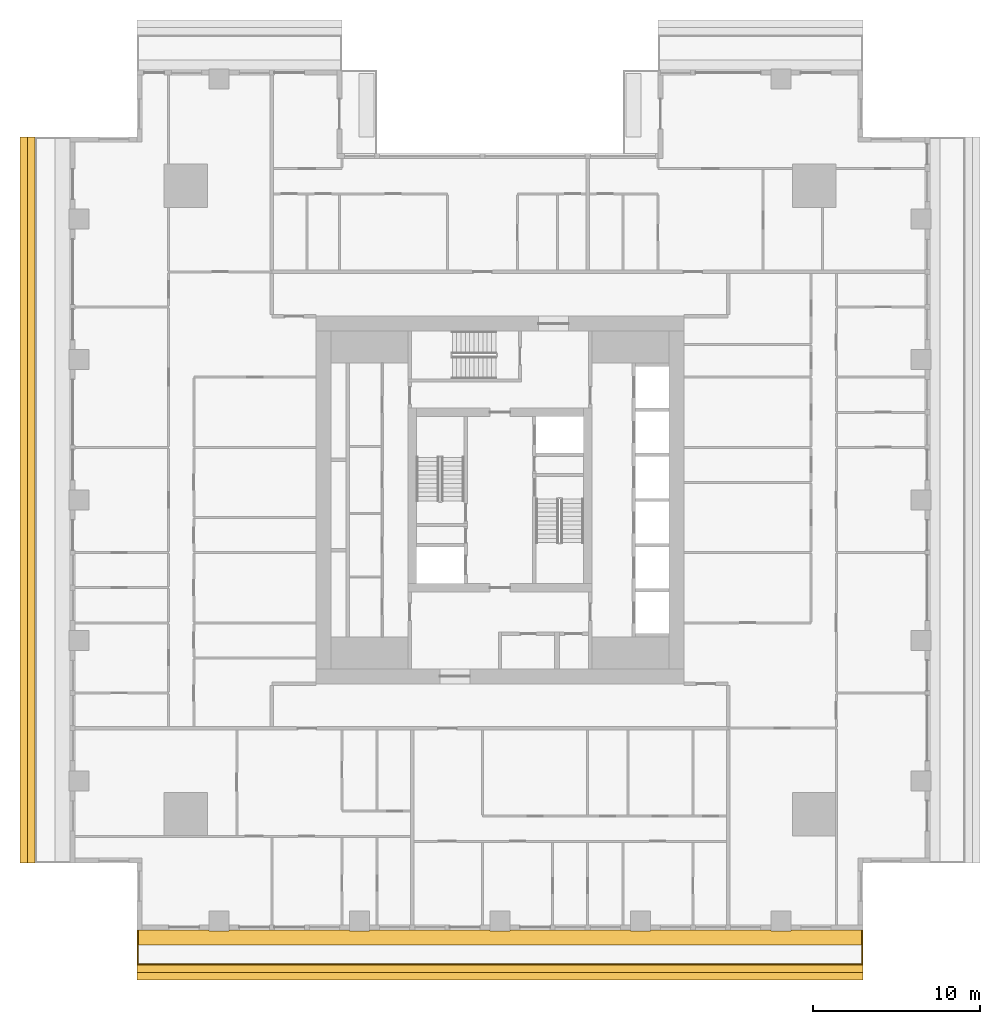
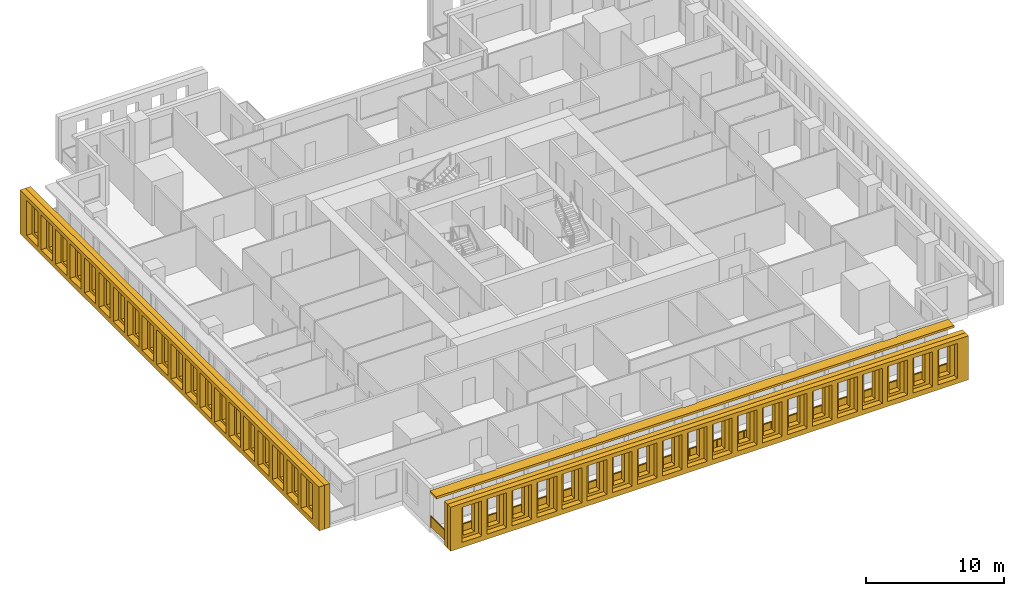
# One storey, part 11 of 16: 5 shading devices, 1 railing.
"""IFC4 building model written with IfcOpenShell, lengths in metres."""

import ifcopenshell
import ifcopenshell.guid

model = None  # the IFC model being written
_history = None  # IfcOwnerHistory: only IFC2X3 demands one
_inside = {}  # id of a spatial element -> (the spatial element, [elements in it])
_under = {}  # id of a project, library or spatial element -> (it, [spatial elements below it])
_declared = {}  # id of a project -> (the project, [libraries it declares])
_typed = {}  # id of a type object -> (the type object, [elements of that type])
_made_of = {}  # id of a material, layer set ... -> (it, [elements and type objects made of it])


def new_model(schema):
    """Start an empty IFC model of exactly this schema.

    Asked for "IFC4X3", IfcOpenShell would pick the latest addendum, in which some entities
    have other attributes; the version numbers below select the first issue.
    IFC2X3 requires an IfcOwnerHistory on every rooted entity: one is made here for all.
    """
    global model, _history
    if schema == "IFC4X3":
        model = ifcopenshell.file(schema_version=(4, 3, 0, 0))
    else:
        model = ifcopenshell.file(schema=schema)
    _inside.clear()
    _under.clear()
    _declared.clear()
    _typed.clear()
    _made_of.clear()
    _history = None
    if model.schema == "IFC2X3":
        org = make("IfcOrganization", Name="unknown")
        user = make(
            "IfcPersonAndOrganization",
            ThePerson=make("IfcPerson", FamilyName="unknown"),
            TheOrganization=org,
        )
        app = make(
            "IfcApplication",
            ApplicationDeveloper=org,
            Version="unknown",
            ApplicationFullName="unknown",
            ApplicationIdentifier="unknown",
        )
        _history = make(
            "IfcOwnerHistory",
            OwningUser=user,
            OwningApplication=app,
            ChangeAction="ADDED",
            CreationDate=0,
        )
    return model


def make(cls, **values):
    """One entity of the class cls with the attributes given. An attribute that is None is left unset."""
    return model.create_entity(
        cls, **{name: value for name, value in values.items() if value is not None}
    )


def rooted(cls, **values):
    """An entity with a GlobalId (a new one), such as an element, a storey or a relation."""
    return make(cls, GlobalId=ifcopenshell.guid.new(), OwnerHistory=_history, **values)


def si_unit(unit_type, name, prefix=None):
    """IfcSIUnit, for example si_unit("LENGTHUNIT", "METRE", prefix="MILLI")."""
    return make("IfcSIUnit", UnitType=unit_type, Prefix=prefix, Name=name)


def assignment(units):
    """IfcUnitAssignment: the units of a project."""
    return None if units is None else make("IfcUnitAssignment", Units=units)


def point(xyz):
    """IfcCartesianPoint."""
    return None if xyz is None else make("IfcCartesianPoint", Coordinates=xyz)


def direction(xyz):
    """IfcDirection."""
    return None if xyz is None else make("IfcDirection", DirectionRatios=xyz)


def frame(location, z_axis=None, x_axis=None):
    """IfcAxis2Placement3D, a coordinate frame: its origin and axes. An axis left out is left unset."""
    return make(
        "IfcAxis2Placement3D",
        Location=point(location),
        Axis=direction(z_axis),
        RefDirection=direction(x_axis),
    )


def frame_2d(location, x_axis=None):
    """IfcAxis2Placement2D, a coordinate frame in the plane: its origin and x axis."""
    return make(
        "IfcAxis2Placement2D", Location=point(location), RefDirection=direction(x_axis)
    )


def origin():
    """The frame at (0, 0, 0) with its axes left unset."""
    return frame((0.0, 0.0, 0.0))


def origin_2d():
    """The frame at (0, 0) in the plane with its x axis left unset."""
    return frame_2d((0.0, 0.0))


def place(relative_to, where):
    """IfcLocalPlacement: puts the frame where relative to a parent placement (None: the world)."""
    return make(
        "IfcLocalPlacement", PlacementRelTo=relative_to, RelativePlacement=where
    )


def context(
    kind, dimensions, precision=None, world=None, true_north=None, identifier=None
):
    """IfcGeometricRepresentationContext, for example the 3D "Model" context."""
    return make(
        "IfcGeometricRepresentationContext",
        ContextIdentifier=identifier,
        ContextType=kind,
        CoordinateSpaceDimension=dimensions,
        Precision=precision,
        WorldCoordinateSystem=world,
        TrueNorth=true_north,
    )


def subcontext(parent, identifier, kind, view, scale=None):
    """IfcGeometricRepresentationSubContext, for example "Body" below "Model"."""
    return make(
        "IfcGeometricRepresentationSubContext",
        ContextIdentifier=identifier,
        ContextType=kind,
        ParentContext=parent,
        TargetScale=scale,
        TargetView=view,
    )


def project(units=None, contexts=None):
    """IfcProject with its units and contexts."""
    return rooted(
        "IfcProject",
        Name="project",
        RepresentationContexts=contexts,
        UnitsInContext=assignment(units),
    )


def spatial(cls, under=None, at=None, **own):
    """A site, building, storey or space (cls), placed at a placement, below another one or the project."""
    s = rooted(cls, ObjectPlacement=at, **own)
    if under is not None:
        _under.setdefault(under.id(), (under, []))[1].append(s)
    return s


def polyline(points):
    """IfcPolyline through the points."""
    return make("IfcPolyline", Points=[point(p) for p in points])


def profile(cls, at=None, kind="AREA", **sizes):
    """A parametric profile (cls). Its sizes go by their IFC names, for example OverallWidth=200.0."""
    return make(cls, ProfileType=kind, Position=at, **sizes)


def rectangle(**sizes):
    """IfcRectangleProfileDef."""
    return profile("IfcRectangleProfileDef", **sizes)


def outline(outer, holes=None, kind="AREA"):
    """IfcArbitraryClosedProfileDef: a profile drawn as a closed curve; with holes, ...WithVoids."""
    if holes is None:
        return make("IfcArbitraryClosedProfileDef", ProfileType=kind, OuterCurve=outer)
    return make(
        "IfcArbitraryProfileDefWithVoids",
        ProfileType=kind,
        OuterCurve=outer,
        InnerCurves=holes,
    )


def extrude(swept, where, along, depth):
    """IfcExtrudedAreaSolid: the profile swept, set in the frame where, extruded along a direction by depth."""
    return make(
        "IfcExtrudedAreaSolid",
        SweptArea=swept,
        Position=where,
        ExtrudedDirection=direction(along),
        Depth=depth,
    )


def shape(context_of_items, identifier, shape_type, items):
    """IfcShapeRepresentation: the items that make up one representation, for example the "Body"."""
    return make(
        "IfcShapeRepresentation",
        ContextOfItems=context_of_items,
        RepresentationIdentifier=identifier,
        RepresentationType=shape_type,
        Items=items,
    )


def material(Name=None, Category=None):
    """IfcMaterial."""
    return make("IfcMaterial", Name=Name, Category=Category)


def layer(
    of_material, thickness, ventilated=None, Name=None, Category=None, Priority=None
):
    """IfcMaterialLayer: one layer of a wall or slab, of a material (None: an air gap)."""
    return make(
        "IfcMaterialLayer",
        Material=of_material,
        LayerThickness=thickness,
        IsVentilated=ventilated,
        Name=Name,
        Category=Category,
        Priority=Priority,
    )


def layer_set(layers, Name=None):
    """IfcMaterialLayerSet."""
    return make("IfcMaterialLayerSet", MaterialLayers=layers, LayerSetName=Name)


def made_of(thing, what):
    """Note that an element or type object is made of a material, layer set ...; save() writes the relation."""
    if what is not None:
        _made_of.setdefault(what.id(), (what, []))[1].append(thing)
    return thing


def type_object(cls, material=None, **own):
    """A type object (cls), such as IfcWallType, which elements share."""
    return made_of(rooted(cls, **own), material)


def element(
    cls,
    number,
    at=None,
    inside=None,
    cuts=None,
    type_object=None,
    material=None,
    context=None,
    identifier="Body",
    shape_type=None,
    held_by="IfcProductDefinitionShape",
    body=None,
    shapes=None,
    **own,
):
    """One element of the class cls, such as IfcWall. Its Tag is "e" and its number.

    at: its placement. inside: the storey or other place that contains it. cuts: it is an
    opening in that element (IfcRelVoidsElement). A single representation is given by context,
    identifier, shape_type and body (its items); several are given by shapes. held_by: the class
    of the entity that holds the representations. save() writes the other relations.
    """
    e = rooted(cls, Tag="e%d" % number, ObjectPlacement=at, **own)
    if body is not None:
        shapes = [shape(context, identifier, shape_type, body)]
    if shapes is not None:
        e.Representation = make(held_by, Representations=shapes)
    if inside is not None:
        _inside.setdefault(inside.id(), (inside, []))[1].append(e)
    if cuts is not None:
        rooted(
            "IfcRelVoidsElement", RelatingBuildingElement=cuts, RelatedOpeningElement=e
        )
    if type_object is not None:
        _typed.setdefault(type_object.id(), (type_object, []))[1].append(e)
    return made_of(e, material)


def aggregate(whole, parts):
    """IfcRelAggregates: a whole, such as a stair, and the parts it consists of."""
    return rooted("IfcRelAggregates", RelatingObject=whole, RelatedObjects=parts)


def save(model, path):
    """Write the relations noted so far, then the file.

    IfcRelAggregates (storeys below a building ...), IfcRelContainedInSpatialStructure (elements
    in a storey), IfcRelDefinesByType, IfcRelAssociatesMaterial and IfcRelDeclares: one each for
    every whole, place, type object, material and project.
    """
    for whole, parts in _under.values():
        aggregate(whole, parts)
    for where, things in _inside.values():
        rooted(
            "IfcRelContainedInSpatialStructure",
            RelatedElements=things,
            RelatingStructure=where,
        )
    for kind, things in _typed.values():
        rooted("IfcRelDefinesByType", RelatedObjects=things, RelatingType=kind)
    for what, things in _made_of.values():
        rooted("IfcRelAssociatesMaterial", RelatedObjects=things, RelatingMaterial=what)
    for by, libraries in _declared.values():
        rooted("IfcRelDeclares", RelatingContext=by, RelatedDefinitions=libraries)
    model.write(path)


model = new_model("IFC4")

# Units and contexts
model_context = context("Model", 3, precision=1e-05, world=origin(), true_north=direction((0.0, 1.0)))
body_context = subcontext(model_context, "Body", "Model", "MODEL_VIEW")
ifc_project = project(units=[si_unit("LENGTHUNIT", "METRE"), si_unit("AREAUNIT", "SQUARE_METRE"), si_unit("VOLUMEUNIT", "CUBIC_METRE"), si_unit("PLANEANGLEUNIT", "RADIAN"), si_unit("MASSUNIT", "GRAM", prefix="KILO")], contexts=[model_context])

# Site, building, storey
site_placement = place(None, origin())
site = spatial("IfcSite", under=ifc_project, at=site_placement, CompositionType="ELEMENT")
building_placement = place(site_placement, origin())
building = spatial("IfcBuilding", under=site, at=building_placement, Name="Khepri Terraces", CompositionType="ELEMENT")
storey_placement = place(building_placement, frame((0.0, 0.0, 157.199951171875)))
storey = spatial("IfcBuildingStorey", under=building, at=storey_placement, Name="L37", CompositionType="ELEMENT", Elevation=157.199951171875)

# Railing
ifc_material_1 = material(Name="Stainless steel grade 316", Category="steel")
railing_type = type_object("IfcRailingType", Name="GRD-BAL-1100", PredefinedType="GUARDRAIL", material=ifc_material_1)
railing_placement = place(storey_placement, frame((-21.669921875, -25.719970703125, 0.0)))
element("IfcRailing", 1, at=railing_placement, inside=storey, type_object=railing_type, Name="Balcony guard L37 S", PredefinedType="GUARDRAIL", context=body_context, shape_type="SweptSolid", body=[
    extrude(rectangle(XDim=0.050048828125, YDim=0.06005859375, at=origin_2d()), frame((0.0, 0.0, 1.070068359375), z_axis=(0.0, -1.0, 0.0), x_axis=(1.0, 0.0, 0.0)), (0.0, 0.0, 1.0), 2.050048828125),
    extrude(rectangle(XDim=2.0, YDim=0.011962890625, at=origin_2d()), frame((0.0, -1.02490234375, 0.10009765625), z_axis=(0.0, 0.0, 1.0), x_axis=(0.0, -1.0, 0.0)), (0.0, 0.0, 1.0), 0.93994140625),
    extrude(rectangle(XDim=0.050048828125, YDim=0.06005859375, at=origin_2d()), frame((0.0, -2.050048828125, 1.070068359375), z_axis=(1.0, 0.0, 0.0), x_axis=(0.0, 1.0, 0.0)), (0.0, 0.0, 1.0), 43.33984375),
    extrude(rectangle(XDim=2.23095703125, YDim=0.011962890625, at=origin_2d()), frame((1.140625, -2.050048828125, 0.10009765625), z_axis=(0.0, 0.0, 1.0), x_axis=(1.0, 0.0, 0.0)), (0.0, 0.0, 1.0), 0.93994140625),
    extrude(rectangle(XDim=2.23095703125, YDim=0.011962890625, at=origin_2d()), frame((3.421630859375, -2.050048828125, 0.10009765625), z_axis=(0.0, 0.0, 1.0), x_axis=(1.0, 0.0, 0.0)), (0.0, 0.0, 1.0), 0.93994140625),
    extrude(rectangle(XDim=2.23095703125, YDim=0.011962890625, at=origin_2d()), frame((5.70263671875, -2.050048828125, 0.10009765625), z_axis=(0.0, 0.0, 1.0), x_axis=(1.0, 0.0, 0.0)), (0.0, 0.0, 1.0), 0.93994140625),
    extrude(rectangle(XDim=2.23095703125, YDim=0.011962890625, at=origin_2d()), frame((7.983642578125, -2.050048828125, 0.10009765625), z_axis=(0.0, 0.0, 1.0), x_axis=(1.0, 0.0, 0.0)), (0.0, 0.0, 1.0), 0.93994140625),
    extrude(rectangle(XDim=2.23095703125, YDim=0.011962890625, at=origin_2d()), frame((10.2646484375, -2.050048828125, 0.10009765625), z_axis=(0.0, 0.0, 1.0), x_axis=(1.0, 0.0, 0.0)), (0.0, 0.0, 1.0), 0.93994140625),
    extrude(rectangle(XDim=2.23095703125, YDim=0.011962890625, at=origin_2d()), frame((12.545654296875, -2.050048828125, 0.10009765625), z_axis=(0.0, 0.0, 1.0), x_axis=(1.0, 0.0, 0.0)), (0.0, 0.0, 1.0), 0.93994140625),
    extrude(rectangle(XDim=2.23095703125, YDim=0.011962890625, at=origin_2d()), frame((14.826904296875, -2.050048828125, 0.10009765625), z_axis=(0.0, 0.0, 1.0), x_axis=(1.0, 0.0, 0.0)), (0.0, 0.0, 1.0), 0.93994140625),
    extrude(rectangle(XDim=2.23095703125, YDim=0.011962890625, at=origin_2d()), frame((17.10791015625, -2.050048828125, 0.10009765625), z_axis=(0.0, 0.0, 1.0), x_axis=(1.0, 0.0, 0.0)), (0.0, 0.0, 1.0), 0.93994140625),
    extrude(rectangle(XDim=2.23095703125, YDim=0.011962890625, at=origin_2d()), frame((19.388916015625, -2.050048828125, 0.10009765625), z_axis=(0.0, 0.0, 1.0), x_axis=(1.0, 0.0, 0.0)), (0.0, 0.0, 1.0), 0.93994140625),
    extrude(rectangle(XDim=2.23095703125, YDim=0.011962890625, at=origin_2d()), frame((21.669921875, -2.050048828125, 0.10009765625), z_axis=(0.0, 0.0, 1.0), x_axis=(1.0, 0.0, 0.0)), (0.0, 0.0, 1.0), 0.93994140625),
    extrude(rectangle(XDim=2.23095703125, YDim=0.011962890625, at=origin_2d()), frame((23.950927734375, -2.050048828125, 0.10009765625), z_axis=(0.0, 0.0, 1.0), x_axis=(1.0, 0.0, 0.0)), (0.0, 0.0, 1.0), 0.93994140625),
    extrude(rectangle(XDim=2.23095703125, YDim=0.011962890625, at=origin_2d()), frame((26.23193359375, -2.050048828125, 0.10009765625), z_axis=(0.0, 0.0, 1.0), x_axis=(1.0, 0.0, 0.0)), (0.0, 0.0, 1.0), 0.93994140625),
    extrude(rectangle(XDim=2.23095703125, YDim=0.011962890625, at=origin_2d()), frame((28.512939453125, -2.050048828125, 0.10009765625), z_axis=(0.0, 0.0, 1.0), x_axis=(1.0, 0.0, 0.0)), (0.0, 0.0, 1.0), 0.93994140625),
    extrude(rectangle(XDim=2.23095703125, YDim=0.011962890625, at=origin_2d()), frame((30.794189453125, -2.050048828125, 0.10009765625), z_axis=(0.0, 0.0, 1.0), x_axis=(1.0, 0.0, 0.0)), (0.0, 0.0, 1.0), 0.93994140625),
    extrude(rectangle(XDim=2.23095703125, YDim=0.011962890625, at=origin_2d()), frame((33.0751953125, -2.050048828125, 0.10009765625), z_axis=(0.0, 0.0, 1.0), x_axis=(1.0, 0.0, 0.0)), (0.0, 0.0, 1.0), 0.93994140625),
    extrude(rectangle(XDim=2.23095703125, YDim=0.011962890625, at=origin_2d()), frame((35.356201171875, -2.050048828125, 0.10009765625), z_axis=(0.0, 0.0, 1.0), x_axis=(1.0, 0.0, 0.0)), (0.0, 0.0, 1.0), 0.93994140625),
    extrude(rectangle(XDim=2.23095703125, YDim=0.011962890625, at=origin_2d()), frame((37.63720703125, -2.050048828125, 0.10009765625), z_axis=(0.0, 0.0, 1.0), x_axis=(1.0, 0.0, 0.0)), (0.0, 0.0, 1.0), 0.93994140625),
    extrude(rectangle(XDim=2.23095703125, YDim=0.011962890625, at=origin_2d()), frame((39.918212890625, -2.050048828125, 0.10009765625), z_axis=(0.0, 0.0, 1.0), x_axis=(1.0, 0.0, 0.0)), (0.0, 0.0, 1.0), 0.93994140625),
    extrude(rectangle(XDim=2.23095703125, YDim=0.011962890625, at=origin_2d()), frame((42.19921875, -2.050048828125, 0.10009765625), z_axis=(0.0, 0.0, 1.0), x_axis=(1.0, 0.0, 0.0)), (0.0, 0.0, 1.0), 0.93994140625),
    extrude(rectangle(XDim=0.050048828125, YDim=0.06005859375, at=origin_2d()), frame((43.33984375, -2.050048828125, 1.070068359375), z_axis=(0.0, 1.0, 0.0), x_axis=(-1.0, 0.0, 0.0)), (0.0, 0.0, 1.0), 2.050048828125),
    extrude(rectangle(XDim=2.0, YDim=0.011962890625, at=origin_2d()), frame((43.33984375, -1.02490234375, 0.10009765625), z_axis=(0.0, 0.0, 1.0), x_axis=(0.0, 1.0, 0.0)), (0.0, 0.0, 1.0), 0.93994140625),
    extrude(rectangle(XDim=0.050048828125, YDim=0.050048828125, at=origin_2d()), origin(), (0.0, 0.0, 1.0), 1.0400390625),
    extrude(rectangle(XDim=0.050048828125, YDim=0.050048828125, at=origin_2d()), frame((0.0, -2.050048828125, 0.0)), (0.0, 0.0, 1.0), 1.0400390625),
    extrude(rectangle(XDim=0.050048828125, YDim=0.050048828125, at=origin_2d()), frame((2.281005859375, -2.050048828125, 0.0)), (0.0, 0.0, 1.0), 1.0400390625),
    extrude(rectangle(XDim=0.050048828125, YDim=0.050048828125, at=origin_2d()), frame((4.56201171875, -2.050048828125, 0.0)), (0.0, 0.0, 1.0), 1.0400390625),
    extrude(rectangle(XDim=0.050048828125, YDim=0.050048828125, at=origin_2d()), frame((6.843017578125, -2.050048828125, 0.0)), (0.0, 0.0, 1.0), 1.0400390625),
    extrude(rectangle(XDim=0.050048828125, YDim=0.050048828125, at=origin_2d()), frame((9.124267578125, -2.050048828125, 0.0)), (0.0, 0.0, 1.0), 1.0400390625),
    extrude(rectangle(XDim=0.050048828125, YDim=0.050048828125, at=origin_2d()), frame((11.4052734375, -2.050048828125, 0.0)), (0.0, 0.0, 1.0), 1.0400390625),
    extrude(rectangle(XDim=0.050048828125, YDim=0.050048828125, at=origin_2d()), frame((13.686279296875, -2.050048828125, 0.0)), (0.0, 0.0, 1.0), 1.0400390625),
    extrude(rectangle(XDim=0.050048828125, YDim=0.050048828125, at=origin_2d()), frame((15.96728515625, -2.050048828125, 0.0)), (0.0, 0.0, 1.0), 1.0400390625),
    extrude(rectangle(XDim=0.050048828125, YDim=0.050048828125, at=origin_2d()), frame((18.248291015625, -2.050048828125, 0.0)), (0.0, 0.0, 1.0), 1.0400390625),
    extrude(rectangle(XDim=0.050048828125, YDim=0.050048828125, at=origin_2d()), frame((20.529296875, -2.050048828125, 0.0)), (0.0, 0.0, 1.0), 1.0400390625),
    extrude(rectangle(XDim=0.050048828125, YDim=0.050048828125, at=origin_2d()), frame((22.810546875, -2.050048828125, 0.0)), (0.0, 0.0, 1.0), 1.0400390625),
    extrude(rectangle(XDim=0.050048828125, YDim=0.050048828125, at=origin_2d()), frame((25.091552734375, -2.050048828125, 0.0)), (0.0, 0.0, 1.0), 1.0400390625),
    extrude(rectangle(XDim=0.050048828125, YDim=0.050048828125, at=origin_2d()), frame((27.37255859375, -2.050048828125, 0.0)), (0.0, 0.0, 1.0), 1.0400390625),
    extrude(rectangle(XDim=0.050048828125, YDim=0.050048828125, at=origin_2d()), frame((29.653564453125, -2.050048828125, 0.0)), (0.0, 0.0, 1.0), 1.0400390625),
    extrude(rectangle(XDim=0.050048828125, YDim=0.050048828125, at=origin_2d()), frame((31.9345703125, -2.050048828125, 0.0)), (0.0, 0.0, 1.0), 1.0400390625),
    extrude(rectangle(XDim=0.050048828125, YDim=0.050048828125, at=origin_2d()), frame((34.215576171875, -2.050048828125, 0.0)), (0.0, 0.0, 1.0), 1.0400390625),
    extrude(rectangle(XDim=0.050048828125, YDim=0.050048828125, at=origin_2d()), frame((36.496826171875, -2.050048828125, 0.0)), (0.0, 0.0, 1.0), 1.0400390625),
    extrude(rectangle(XDim=0.050048828125, YDim=0.050048828125, at=origin_2d()), frame((38.77783203125, -2.050048828125, 0.0)), (0.0, 0.0, 1.0), 1.0400390625),
    extrude(rectangle(XDim=0.050048828125, YDim=0.050048828125, at=origin_2d()), frame((41.058837890625, -2.050048828125, 0.0)), (0.0, 0.0, 1.0), 1.0400390625),
    extrude(rectangle(XDim=0.050048828125, YDim=0.050048828125, at=origin_2d()), frame((43.33984375, -2.050048828125, 0.0)), (0.0, 0.0, 1.0), 1.0400390625),
    extrude(rectangle(XDim=0.050048828125, YDim=0.050048828125, at=origin_2d()), frame((43.33984375, 0.0, 0.0)), (0.0, 0.0, 1.0), 1.0400390625),
])

# Shading devices
ifc_material_2 = material(Name="Precast concrete C50/60 warm stone", Category="masonry")
shading_device_type_1 = type_object("IfcShadingDeviceType", Name="SCR-CELL-INNER-450", PredefinedType="USERDEFINED", material=ifc_material_2)
shading_device_1_placement = place(storey_placement, frame((-21.719970703125, -27.820068359375, -0.25), z_axis=(0.0, -1.0, 0.0), x_axis=(1.0, 0.0, 0.0)))
element("IfcShadingDevice", 2, at=shading_device_1_placement, inside=storey, type_object=shading_device_type_1, Name="Cell screen L37 S in", ObjectType="SCREEN", PredefinedType="USERDEFINED", context=body_context, shape_type="SweptSolid", body=[
    extrude(outline(polyline([(0.0, 0.0), (43.43994140625, 0.0), (43.43994140625, 3.89990234375), (0.0, 3.89990234375), (0.0, 0.0)]), holes=[polyline([(1.297607421875, 0.699951171875), (2.242431640625, 0.699951171875), (2.242431640625, 3.300048828125), (1.297607421875, 3.300048828125), (1.297607421875, 0.699951171875)]), polyline([(3.3974609375, 0.699951171875), (4.342529296875, 0.699951171875), (4.342529296875, 3.300048828125), (3.3974609375, 3.300048828125), (3.3974609375, 0.699951171875)]), polyline([(5.49755859375, 0.699951171875), (6.4423828125, 0.699951171875), (6.4423828125, 3.300048828125), (5.49755859375, 3.300048828125), (5.49755859375, 0.699951171875)]), polyline([(7.597412109375, 0.699951171875), (8.54248046875, 0.699951171875), (8.54248046875, 3.300048828125), (7.597412109375, 3.300048828125), (7.597412109375, 0.699951171875)]), polyline([(9.697509765625, 0.699951171875), (10.642578125, 0.699951171875), (10.642578125, 3.300048828125), (9.697509765625, 3.300048828125), (9.697509765625, 0.699951171875)]), polyline([(11.797607421875, 0.699951171875), (12.742431640625, 0.699951171875), (12.742431640625, 3.300048828125), (11.797607421875, 3.300048828125), (11.797607421875, 0.699951171875)]), polyline([(13.8974609375, 0.699951171875), (14.842529296875, 0.699951171875), (14.842529296875, 3.300048828125), (13.8974609375, 3.300048828125), (13.8974609375, 0.699951171875)]), polyline([(15.99755859375, 0.699951171875), (16.9423828125, 0.699951171875), (16.9423828125, 3.300048828125), (15.99755859375, 3.300048828125), (15.99755859375, 0.699951171875)]), polyline([(18.097412109375, 0.699951171875), (19.04248046875, 0.699951171875), (19.04248046875, 3.300048828125), (18.097412109375, 3.300048828125), (18.097412109375, 0.699951171875)]), polyline([(20.197509765625, 0.699951171875), (21.142578125, 0.699951171875), (21.142578125, 3.300048828125), (20.197509765625, 3.300048828125), (20.197509765625, 0.699951171875)]), polyline([(22.297607421875, 0.699951171875), (23.242431640625, 0.699951171875), (23.242431640625, 3.300048828125), (22.297607421875, 3.300048828125), (22.297607421875, 0.699951171875)]), polyline([(24.3974609375, 0.699951171875), (25.342529296875, 0.699951171875), (25.342529296875, 3.300048828125), (24.3974609375, 3.300048828125), (24.3974609375, 0.699951171875)]), polyline([(26.49755859375, 0.699951171875), (27.4423828125, 0.699951171875), (27.4423828125, 3.300048828125), (26.49755859375, 3.300048828125), (26.49755859375, 0.699951171875)]), polyline([(28.597412109375, 0.699951171875), (29.54248046875, 0.699951171875), (29.54248046875, 3.300048828125), (28.597412109375, 3.300048828125), (28.597412109375, 0.699951171875)]), polyline([(30.697509765625, 0.699951171875), (31.642578125, 0.699951171875), (31.642578125, 3.300048828125), (30.697509765625, 3.300048828125), (30.697509765625, 0.699951171875)]), polyline([(32.797607421875, 0.699951171875), (33.742431640625, 0.699951171875), (33.742431640625, 3.300048828125), (32.797607421875, 3.300048828125), (32.797607421875, 0.699951171875)]), polyline([(34.8974609375, 0.699951171875), (35.842529296875, 0.699951171875), (35.842529296875, 3.300048828125), (34.8974609375, 3.300048828125), (34.8974609375, 0.699951171875)]), polyline([(36.99755859375, 0.699951171875), (37.9423828125, 0.699951171875), (37.9423828125, 3.300048828125), (36.99755859375, 3.300048828125), (36.99755859375, 0.699951171875)]), polyline([(39.097412109375, 0.699951171875), (40.04248046875, 0.699951171875), (40.04248046875, 3.300048828125), (39.097412109375, 3.300048828125), (39.097412109375, 0.699951171875)]), polyline([(41.197509765625, 0.699951171875), (42.142578125, 0.699951171875), (42.142578125, 3.300048828125), (41.197509765625, 3.300048828125), (41.197509765625, 0.699951171875)])]), origin(), (0.0, 0.0, 1.0), 0.449951171875),
])
shading_device_2_placement = place(storey_placement, frame((-27.820068359375, 21.719970703125, -0.25), z_axis=(-1.0, 0.0, 0.0), x_axis=(0.0, -1.0, 0.0)))
element("IfcShadingDevice", 3, at=shading_device_2_placement, inside=storey, type_object=shading_device_type_1, Name="Cell screen L37 W in", ObjectType="SCREEN", PredefinedType="USERDEFINED", context=body_context, shape_type="SweptSolid", body=[
    extrude(outline(polyline([(0.0, 0.0), (43.43994140625, 0.0), (43.43994140625, 3.89990234375), (0.0, 3.89990234375), (0.0, 0.0)]), holes=[polyline([(1.297607421875, 0.699951171875), (2.242431640625, 0.699951171875), (2.242431640625, 3.300048828125), (1.297607421875, 3.300048828125), (1.297607421875, 0.699951171875)]), polyline([(3.3974609375, 0.699951171875), (4.342529296875, 0.699951171875), (4.342529296875, 3.300048828125), (3.3974609375, 3.300048828125), (3.3974609375, 0.699951171875)]), polyline([(5.49755859375, 0.699951171875), (6.4423828125, 0.699951171875), (6.4423828125, 3.300048828125), (5.49755859375, 3.300048828125), (5.49755859375, 0.699951171875)]), polyline([(7.597412109375, 0.699951171875), (8.54248046875, 0.699951171875), (8.54248046875, 3.300048828125), (7.597412109375, 3.300048828125), (7.597412109375, 0.699951171875)]), polyline([(9.697509765625, 0.699951171875), (10.642578125, 0.699951171875), (10.642578125, 3.300048828125), (9.697509765625, 3.300048828125), (9.697509765625, 0.699951171875)]), polyline([(11.797607421875, 0.699951171875), (12.742431640625, 0.699951171875), (12.742431640625, 3.300048828125), (11.797607421875, 3.300048828125), (11.797607421875, 0.699951171875)]), polyline([(13.8974609375, 0.699951171875), (14.842529296875, 0.699951171875), (14.842529296875, 3.300048828125), (13.8974609375, 3.300048828125), (13.8974609375, 0.699951171875)]), polyline([(15.99755859375, 0.699951171875), (16.9423828125, 0.699951171875), (16.9423828125, 3.300048828125), (15.99755859375, 3.300048828125), (15.99755859375, 0.699951171875)]), polyline([(18.097412109375, 0.699951171875), (19.04248046875, 0.699951171875), (19.04248046875, 3.300048828125), (18.097412109375, 3.300048828125), (18.097412109375, 0.699951171875)]), polyline([(20.197509765625, 0.699951171875), (21.142578125, 0.699951171875), (21.142578125, 3.300048828125), (20.197509765625, 3.300048828125), (20.197509765625, 0.699951171875)]), polyline([(22.297607421875, 0.699951171875), (23.242431640625, 0.699951171875), (23.242431640625, 3.300048828125), (22.297607421875, 3.300048828125), (22.297607421875, 0.699951171875)]), polyline([(24.3974609375, 0.699951171875), (25.342529296875, 0.699951171875), (25.342529296875, 3.300048828125), (24.3974609375, 3.300048828125), (24.3974609375, 0.699951171875)]), polyline([(26.49755859375, 0.699951171875), (27.4423828125, 0.699951171875), (27.4423828125, 3.300048828125), (26.49755859375, 3.300048828125), (26.49755859375, 0.699951171875)]), polyline([(28.597412109375, 0.699951171875), (29.54248046875, 0.699951171875), (29.54248046875, 3.300048828125), (28.597412109375, 3.300048828125), (28.597412109375, 0.699951171875)]), polyline([(30.697509765625, 0.699951171875), (31.642578125, 0.699951171875), (31.642578125, 3.300048828125), (30.697509765625, 3.300048828125), (30.697509765625, 0.699951171875)]), polyline([(32.797607421875, 0.699951171875), (33.742431640625, 0.699951171875), (33.742431640625, 3.300048828125), (32.797607421875, 3.300048828125), (32.797607421875, 0.699951171875)]), polyline([(34.8974609375, 0.699951171875), (35.842529296875, 0.699951171875), (35.842529296875, 3.300048828125), (34.8974609375, 3.300048828125), (34.8974609375, 0.699951171875)]), polyline([(36.99755859375, 0.699951171875), (37.9423828125, 0.699951171875), (37.9423828125, 3.300048828125), (36.99755859375, 3.300048828125), (36.99755859375, 0.699951171875)]), polyline([(39.097412109375, 0.699951171875), (40.04248046875, 0.699951171875), (40.04248046875, 3.300048828125), (39.097412109375, 3.300048828125), (39.097412109375, 0.699951171875)]), polyline([(41.197509765625, 0.699951171875), (42.142578125, 0.699951171875), (42.142578125, 3.300048828125), (41.197509765625, 3.300048828125), (41.197509765625, 0.699951171875)])]), origin(), (0.0, 0.0, 1.0), 0.449951171875),
])
shading_device_type_2 = type_object("IfcShadingDeviceType", Name="SCR-CELL-OUTER-450", PredefinedType="USERDEFINED", material=ifc_material_2)
shading_device_3_placement = place(storey_placement, frame((-21.719970703125, -28.27001953125, -0.25), z_axis=(0.0, -1.0, 0.0), x_axis=(1.0, 0.0, 0.0)))
element("IfcShadingDevice", 4, at=shading_device_3_placement, inside=storey, type_object=shading_device_type_2, Name="Cell screen L37 S out", ObjectType="SCREEN", PredefinedType="USERDEFINED", context=body_context, shape_type="SweptSolid", body=[
    extrude(outline(polyline([(0.0, 0.0), (43.43994140625, 0.0), (43.43994140625, 3.89990234375), (0.0, 3.89990234375), (0.0, 0.0)]), holes=[polyline([(0.947509765625, 0.449951171875), (2.592529296875, 0.449951171875), (2.592529296875, 3.550048828125), (0.947509765625, 3.550048828125), (0.947509765625, 0.449951171875)]), polyline([(3.047607421875, 0.449951171875), (4.6923828125, 0.449951171875), (4.6923828125, 3.550048828125), (3.047607421875, 3.550048828125), (3.047607421875, 0.449951171875)]), polyline([(5.1474609375, 0.449951171875), (6.79248046875, 0.449951171875), (6.79248046875, 3.550048828125), (5.1474609375, 3.550048828125), (5.1474609375, 0.449951171875)]), polyline([(7.24755859375, 0.449951171875), (8.892578125, 0.449951171875), (8.892578125, 3.550048828125), (7.24755859375, 3.550048828125), (7.24755859375, 0.449951171875)]), polyline([(9.347412109375, 0.449951171875), (10.992431640625, 0.449951171875), (10.992431640625, 3.550048828125), (9.347412109375, 3.550048828125), (9.347412109375, 0.449951171875)]), polyline([(11.447509765625, 0.449951171875), (13.092529296875, 0.449951171875), (13.092529296875, 3.550048828125), (11.447509765625, 3.550048828125), (11.447509765625, 0.449951171875)]), polyline([(13.547607421875, 0.449951171875), (15.1923828125, 0.449951171875), (15.1923828125, 3.550048828125), (13.547607421875, 3.550048828125), (13.547607421875, 0.449951171875)]), polyline([(15.6474609375, 0.449951171875), (17.29248046875, 0.449951171875), (17.29248046875, 3.550048828125), (15.6474609375, 3.550048828125), (15.6474609375, 0.449951171875)]), polyline([(17.74755859375, 0.449951171875), (19.392578125, 0.449951171875), (19.392578125, 3.550048828125), (17.74755859375, 3.550048828125), (17.74755859375, 0.449951171875)]), polyline([(19.847412109375, 0.449951171875), (21.492431640625, 0.449951171875), (21.492431640625, 3.550048828125), (19.847412109375, 3.550048828125), (19.847412109375, 0.449951171875)]), polyline([(21.947509765625, 0.449951171875), (23.592529296875, 0.449951171875), (23.592529296875, 3.550048828125), (21.947509765625, 3.550048828125), (21.947509765625, 0.449951171875)]), polyline([(24.047607421875, 0.449951171875), (25.6923828125, 0.449951171875), (25.6923828125, 3.550048828125), (24.047607421875, 3.550048828125), (24.047607421875, 0.449951171875)]), polyline([(26.1474609375, 0.449951171875), (27.79248046875, 0.449951171875), (27.79248046875, 3.550048828125), (26.1474609375, 3.550048828125), (26.1474609375, 0.449951171875)]), polyline([(28.24755859375, 0.449951171875), (29.892578125, 0.449951171875), (29.892578125, 3.550048828125), (28.24755859375, 3.550048828125), (28.24755859375, 0.449951171875)]), polyline([(30.347412109375, 0.449951171875), (31.992431640625, 0.449951171875), (31.992431640625, 3.550048828125), (30.347412109375, 3.550048828125), (30.347412109375, 0.449951171875)]), polyline([(32.447509765625, 0.449951171875), (34.092529296875, 0.449951171875), (34.092529296875, 3.550048828125), (32.447509765625, 3.550048828125), (32.447509765625, 0.449951171875)]), polyline([(34.547607421875, 0.449951171875), (36.1923828125, 0.449951171875), (36.1923828125, 3.550048828125), (34.547607421875, 3.550048828125), (34.547607421875, 0.449951171875)]), polyline([(36.6474609375, 0.449951171875), (38.29248046875, 0.449951171875), (38.29248046875, 3.550048828125), (36.6474609375, 3.550048828125), (36.6474609375, 0.449951171875)]), polyline([(38.74755859375, 0.449951171875), (40.392578125, 0.449951171875), (40.392578125, 3.550048828125), (38.74755859375, 3.550048828125), (38.74755859375, 0.449951171875)]), polyline([(40.847412109375, 0.449951171875), (42.492431640625, 0.449951171875), (42.492431640625, 3.550048828125), (40.847412109375, 3.550048828125), (40.847412109375, 0.449951171875)])]), origin(), (0.0, 0.0, 1.0), 0.449951171875),
])
shading_device_4_placement = place(storey_placement, frame((-28.27001953125, 21.719970703125, -0.25), z_axis=(-1.0, 0.0, 0.0), x_axis=(0.0, -1.0, 0.0)))
element("IfcShadingDevice", 5, at=shading_device_4_placement, inside=storey, type_object=shading_device_type_2, Name="Cell screen L37 W out", ObjectType="SCREEN", PredefinedType="USERDEFINED", context=body_context, shape_type="SweptSolid", body=[
    extrude(outline(polyline([(0.0, 0.0), (43.43994140625, 0.0), (43.43994140625, 3.89990234375), (0.0, 3.89990234375), (0.0, 0.0)]), holes=[polyline([(0.947509765625, 0.449951171875), (2.592529296875, 0.449951171875), (2.592529296875, 3.550048828125), (0.947509765625, 3.550048828125), (0.947509765625, 0.449951171875)]), polyline([(3.047607421875, 0.449951171875), (4.6923828125, 0.449951171875), (4.6923828125, 3.550048828125), (3.047607421875, 3.550048828125), (3.047607421875, 0.449951171875)]), polyline([(5.1474609375, 0.449951171875), (6.79248046875, 0.449951171875), (6.79248046875, 3.550048828125), (5.1474609375, 3.550048828125), (5.1474609375, 0.449951171875)]), polyline([(7.24755859375, 0.449951171875), (8.892578125, 0.449951171875), (8.892578125, 3.550048828125), (7.24755859375, 3.550048828125), (7.24755859375, 0.449951171875)]), polyline([(9.347412109375, 0.449951171875), (10.992431640625, 0.449951171875), (10.992431640625, 3.550048828125), (9.347412109375, 3.550048828125), (9.347412109375, 0.449951171875)]), polyline([(11.447509765625, 0.449951171875), (13.092529296875, 0.449951171875), (13.092529296875, 3.550048828125), (11.447509765625, 3.550048828125), (11.447509765625, 0.449951171875)]), polyline([(13.547607421875, 0.449951171875), (15.1923828125, 0.449951171875), (15.1923828125, 3.550048828125), (13.547607421875, 3.550048828125), (13.547607421875, 0.449951171875)]), polyline([(15.6474609375, 0.449951171875), (17.29248046875, 0.449951171875), (17.29248046875, 3.550048828125), (15.6474609375, 3.550048828125), (15.6474609375, 0.449951171875)]), polyline([(17.74755859375, 0.449951171875), (19.392578125, 0.449951171875), (19.392578125, 3.550048828125), (17.74755859375, 3.550048828125), (17.74755859375, 0.449951171875)]), polyline([(19.847412109375, 0.449951171875), (21.492431640625, 0.449951171875), (21.492431640625, 3.550048828125), (19.847412109375, 3.550048828125), (19.847412109375, 0.449951171875)]), polyline([(21.947509765625, 0.449951171875), (23.592529296875, 0.449951171875), (23.592529296875, 3.550048828125), (21.947509765625, 3.550048828125), (21.947509765625, 0.449951171875)]), polyline([(24.047607421875, 0.449951171875), (25.6923828125, 0.449951171875), (25.6923828125, 3.550048828125), (24.047607421875, 3.550048828125), (24.047607421875, 0.449951171875)]), polyline([(26.1474609375, 0.449951171875), (27.79248046875, 0.449951171875), (27.79248046875, 3.550048828125), (26.1474609375, 3.550048828125), (26.1474609375, 0.449951171875)]), polyline([(28.24755859375, 0.449951171875), (29.892578125, 0.449951171875), (29.892578125, 3.550048828125), (28.24755859375, 3.550048828125), (28.24755859375, 0.449951171875)]), polyline([(30.347412109375, 0.449951171875), (31.992431640625, 0.449951171875), (31.992431640625, 3.550048828125), (30.347412109375, 3.550048828125), (30.347412109375, 0.449951171875)]), polyline([(32.447509765625, 0.449951171875), (34.092529296875, 0.449951171875), (34.092529296875, 3.550048828125), (32.447509765625, 3.550048828125), (32.447509765625, 0.449951171875)]), polyline([(34.547607421875, 0.449951171875), (36.1923828125, 0.449951171875), (36.1923828125, 3.550048828125), (34.547607421875, 3.550048828125), (34.547607421875, 0.449951171875)]), polyline([(36.6474609375, 0.449951171875), (38.29248046875, 0.449951171875), (38.29248046875, 3.550048828125), (36.6474609375, 3.550048828125), (36.6474609375, 0.449951171875)]), polyline([(38.74755859375, 0.449951171875), (40.392578125, 0.449951171875), (40.392578125, 3.550048828125), (38.74755859375, 3.550048828125), (38.74755859375, 0.449951171875)]), polyline([(40.847412109375, 0.449951171875), (42.492431640625, 0.449951171875), (42.492431640625, 3.550048828125), (40.847412109375, 3.550048828125), (40.847412109375, 0.449951171875)])]), origin(), (0.0, 0.0, 1.0), 0.449951171875),
])
ifc_layer = layer(ifc_material_2, 0.199951171875, Name="Precast concrete C50/60 warm stone", Category="masonry")
ifc_layer_set = layer_set([ifc_layer], Name="Precast concrete C50/60 warm stone")
shading_device_type_3 = type_object("IfcShadingDeviceType", Name="SSH-BAND-STONE-200", PredefinedType="USERDEFINED", material=ifc_layer_set)
shading_device_5_placement = place(storey_placement, frame((0.0, 0.0, 3.10009765625)))
element("IfcShadingDevice", 6, at=shading_device_5_placement, inside=storey, type_object=shading_device_type_3, Name="Sunshade band L37 S", ObjectType="SUNSHADE", PredefinedType="USERDEFINED", context=body_context, shape_type="SweptSolid", body=[
    extrude(outline(polyline([(-17.39990234375, -25.719970703125), (-21.719970703125, -25.719970703125), (-21.719970703125, -26.6201171875), (21.719970703125, -26.6201171875), (21.719970703125, -25.719970703125), (17.39990234375, -25.719970703125), (17.39990234375, -25.800048828125), (16.199951171875, -25.800048828125), (16.199951171875, -25.719970703125), (9.0, -25.719970703125), (9.0, -25.800048828125), (7.800048828125, -25.800048828125), (7.800048828125, -25.719970703125), (0.60009765625, -25.719970703125), (0.60009765625, -25.800048828125), (-0.60009765625, -25.800048828125), (-0.60009765625, -25.719970703125), (-7.800048828125, -25.719970703125), (-7.800048828125, -25.800048828125), (-9.0, -25.800048828125), (-9.0, -25.719970703125), (-16.199951171875, -25.719970703125), (-16.199951171875, -25.800048828125), (-17.39990234375, -25.800048828125), (-17.39990234375, -25.719970703125)])), origin(), (0.0, 0.0, 1.0), 0.199951171875),
])

save(model, "model.ifc")
